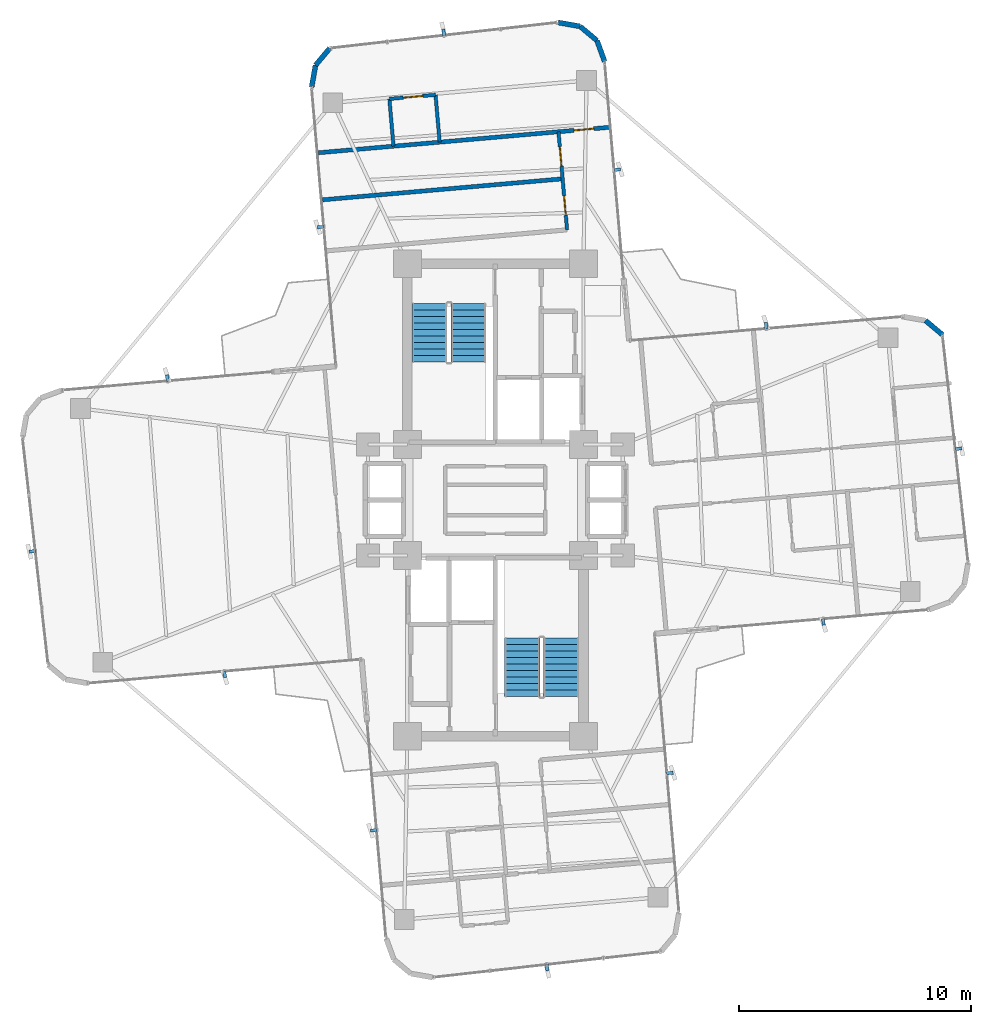
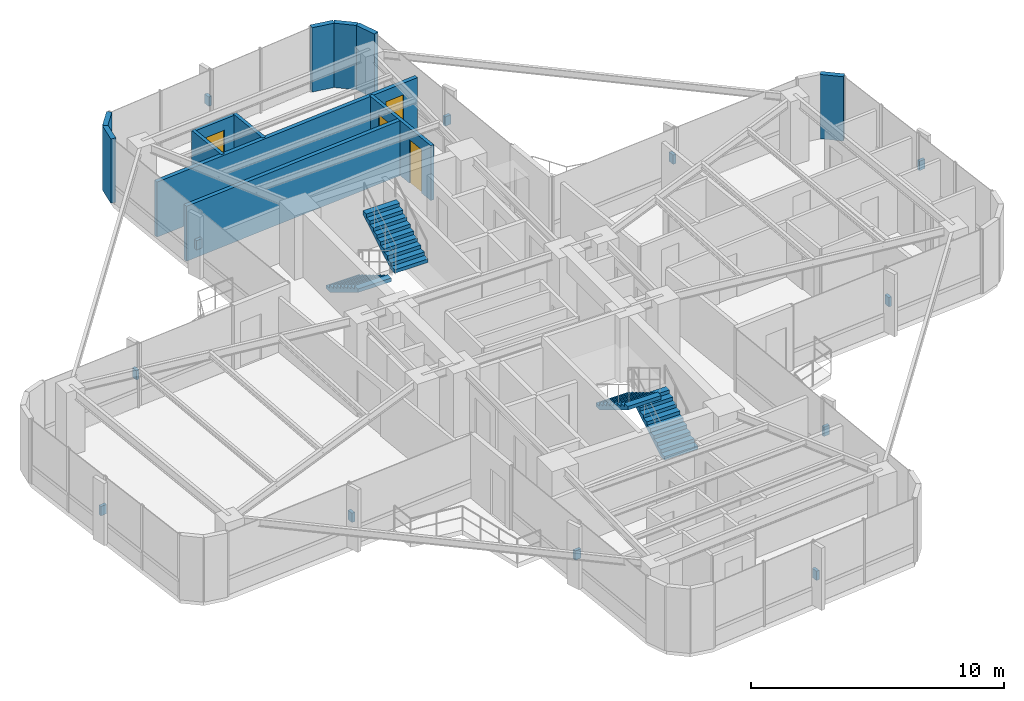
# One storey, part 23 of 24: 12 discrete accessories, 12 walls, 4 doors, 4 stair flights, 4 openings, 2 elements without a shape of their own.
"""IFC4 building model written with IfcOpenShell, lengths in metres."""

from ifc_helpers import new_model, si_unit, direction, frame, frame_2d, origin, origin_2d, place, context, subcontext, project, spatial, polyline, rectangle, outline, extrude, source, transform, mapped, material, layer, layer_set, type_object, element, fill, aggregate, save


model = new_model("IFC4")

# Units and contexts
model_context = context("Model", 3, precision=1e-05, world=origin(), true_north=direction((0.0, 1.0)))
body_context = subcontext(model_context, "Body", "Model", "MODEL_VIEW")
ifc_project = project(units=[si_unit("LENGTHUNIT", "METRE"), si_unit("AREAUNIT", "SQUARE_METRE"), si_unit("VOLUMEUNIT", "CUBIC_METRE"), si_unit("PLANEANGLEUNIT", "RADIAN"), si_unit("MASSUNIT", "GRAM", prefix="KILO")], contexts=[model_context])

# Site, building, storey
site_placement = place(None, origin())
site = spatial("IfcSite", under=ifc_project, at=site_placement, CompositionType="ELEMENT")
building_placement = place(site_placement, origin())
building = spatial("IfcBuilding", under=site, at=building_placement, Name="Sahyath Konkavel Grand Hotel", CompositionType="ELEMENT")
storey_placement = place(building_placement, frame((0.0, 0.0, 188.60009765625)))
storey = spatial("IfcBuildingStorey", under=building, at=storey_placement, Name="L52", CompositionType="ELEMENT", Elevation=188.60009765625)

# Walls
ifc_material_1 = material(Name="Warm Buff Sandstone Insulated Concrete C40/50", Category="masonry")
ifc_layer_1 = layer(ifc_material_1, 0.219970703125)
ifc_layer_set_1 = layer_set([ifc_layer_1], Name="Warm Buff Sandstone Insulated Concrete C40/50")
wall_type_1 = type_object("IfcWallType", Name="WLL-BALC-THRESH", PredefinedType="STANDARD", material=ifc_layer_set_1)
for number, where, z_axis, x_axis, name in (
    (1, (19.3037109375, 7.134521484375, 0.0), (0.0, 0.0, 1.0), (-0.766001159887, 0.642839189107, 0.0), "L52 Rounded Corner Sandstone Pier 5"),
    (2, (4.7177734375, 18.93310546875, 0.0), (0.0, 0.0, 1.0), (-0.34188635151, 0.939741306239, 0.0), "L52 Rounded Corner Sandstone Pier 9"),
):
    element("IfcWall", number, at=place(storey_placement, frame(where, z_axis=z_axis, x_axis=x_axis)), inside=storey, type_object=wall_type_1, Name=name, PredefinedType="STANDARD", context=body_context, shape_type="SweptSolid", body=[
        extrude(rectangle(XDim=0.95751953125, YDim=0.219970703125, at=frame_2d((0.478759765625, 0.0))), origin(), (0.0, 0.0, 1.0), 3.10986328125),
    ])
for number, where, z_axis, x_axis, name in (
    (3, (4.390380859375, 19.8330078125, 0.0), (0.0, 0.0, 1.0), (-0.765980978054, 0.642863236823, 0.0), "L52 Rounded Corner Sandstone Pier 10"),
    (4, (3.65673828125, 20.44873046875, 0.0), (0.0, 0.0, 1.0), (-0.984814340885, 0.173610811841, 0.0), "L52 Rounded Corner Sandstone Pier 11"),
):
    element("IfcWall", number, at=place(storey_placement, frame(where, z_axis=z_axis, x_axis=x_axis)), inside=storey, type_object=wall_type_1, Name=name, PredefinedType="STANDARD", context=body_context, shape_type="SweptSolid", body=[
        extrude(rectangle(XDim=0.957763671875, YDim=0.219970703125, at=frame_2d((0.47900390625, 0.0))), origin(), (0.0, 0.0, 1.0), 3.10986328125),
    ])
for number, where, z_axis, x_axis, name in (
    (5, (-7.152099609375, 19.5029296875, 0.0), (0.0, 0.0, 1.0), (-0.642713642115, -0.766106503196, 0.0), "L52 Rounded Corner Sandstone Pier 13"),
    (6, (-7.767578125, 18.769287109375, 0.0), (0.0, 0.0, 1.0), (-0.173654409999, -0.984806654064, 0.0), "L52 Rounded Corner Sandstone Pier 14"),
):
    element("IfcWall", number, at=place(storey_placement, frame(where, z_axis=z_axis, x_axis=x_axis)), inside=storey, type_object=wall_type_1, Name=name, PredefinedType="STANDARD", context=body_context, shape_type="SweptSolid", body=[
        extrude(rectangle(XDim=0.95751953125, YDim=0.219970703125, at=frame_2d((0.478759765625, 0.0))), origin(), (0.0, 0.0, 1.0), 3.10986328125),
    ])
ifc_material_2 = material(Name="Twin-Stud Acoustic Gypsum Plasterboard Partition")
ifc_layer_2 = layer(ifc_material_2, 0.179931640625)
ifc_layer_set_2 = layer_set([ifc_layer_2], Name="Twin-Stud Acoustic Gypsum Plasterboard Partition")
wall_type_2 = type_object("IfcWallType", Name="WLL-DEMISE-180", PredefinedType="PARTITIONING", material=ifc_layer_set_2)
wall_1_placement = place(storey_placement, frame((2.902587890625, 13.86572265625, 0.0), z_axis=(0.0, 0.0, 1.0), x_axis=(-0.996194201607, -0.087161417409, 0.0)))
element("IfcWall", 7, at=wall_1_placement, inside=storey, type_object=wall_type_2, Name="L52 Partition N-NSL6-DEM", PredefinedType="PARTITIONING", context=body_context, shape_type="SweptSolid", body=[
    extrude(rectangle(XDim=10.400146484375, YDim=0.179931640625, at=frame_2d((5.2001953125, 0.0))), origin(), (0.0, 0.0, 1.0), 2.659912109375),
])

# Wall, opening, door
wall_2_placement = place(storey_placement, frame((4.91650390625, 16.089599609375, 0.0), z_axis=(0.0, 0.0, 1.0), x_axis=(-0.996196619285, -0.087133780622, 0.0)))
wall_2 = element("IfcWall", 8, at=wall_2_placement, inside=storey, type_object=wall_type_2, Name="L52 Partition N-NTIP-END", PredefinedType="PARTITIONING", context=body_context, shape_type="SweptSolid", body=[
    extrude(rectangle(XDim=12.60009765625, YDim=0.179931640625, at=frame_2d((6.300048828125, 0.0))), origin(), (0.0, 0.0, 1.0), 2.659912109375),
])
opening_1_placement = place(wall_2_placement, frame((0.675048828125, 0.0, 0.0)))
opening_1 = element("IfcOpeningElement", 9, at=opening_1_placement, cuts=wall_2, Name="Opening D-F06D", PredefinedType="OPENING", context=body_context, shape_type="SweptSolid", body=[
    extrude(rectangle(XDim=0.85009765625, YDim=2.10009765625, at=frame_2d((0.425048828125, 1.050048828125))), frame((0.0, 0.10009765625, 0.0), z_axis=(0.0, -1.0, 0.0), x_axis=(1.0, 0.0, 0.0)), (0.0, 0.0, 1.0), 0.199951171875),
])
ifc_material_3 = material(Name="Fire-Rated Shaft Access Door")
door_type_1 = type_object("IfcDoorType", Name="DR-FD60-850", OperationType="NOTDEFINED", PredefinedType="DOOR", material=ifc_material_3)
shared_shape_1 = source(origin(), body_context, "Body", "SweptSolid", [
    extrude(rectangle(XDim=0.85009765625, YDim=0.050048828125, at=origin_2d()), origin(), (0.0, 0.0, 1.0), 2.10009765625),
])
door_1_placement = place(opening_1_placement, frame((0.425048828125, 0.0, 0.0)))
door_1 = element("IfcDoor", 10, at=door_1_placement, inside=storey, type_object=door_type_1, Name="L52 Door N-NTIP-ED", OperationType="SINGLE_SWING_RIGHT", OverallHeight=2.10009765625, OverallWidth=0.85009765625, PredefinedType="DOOR", context=body_context, shape_type="MappedRepresentation", body=[
    mapped(shared_shape_1, transform((0.0, 0.0, 0.0), scale=1.0)),
])
fill(opening_1, door_1)

# Wall, openings, doors
ifc_material_4 = material(Name="Fire-Rated Gypsum Plasterboard Partition")
ifc_layer_3 = layer(ifc_material_4, 0.14990234375)
ifc_layer_set_3 = layer_set([ifc_layer_3], Name="Fire-Rated Gypsum Plasterboard Partition")
wall_type_3 = type_object("IfcWallType", Name="WLL-PART-150", PredefinedType="PARTITIONING", material=ifc_layer_set_3)
wall_3_placement = place(storey_placement, frame((3.09521484375, 11.6640625, 0.0), z_axis=(0.0, 0.0, 1.0), x_axis=(-0.087142722004, 0.996195837173, 0.0)))
wall_3 = element("IfcWall", 11, at=wall_3_placement, inside=storey, type_object=wall_type_3, Name="L52 Partition N-G6W", PredefinedType="PARTITIONING", context=body_context, shape_type="SweptSolid", body=[
    extrude(rectangle(XDim=4.25, YDim=0.14990234375, at=frame_2d((2.125, 0.0))), origin(), (0.0, 0.0, 1.0), 2.659912109375),
])
opening_2_placement = place(wall_3_placement, frame((0.6298828125, 0.0, 0.0)))
opening_2 = element("IfcOpeningElement", 12, at=opening_2_placement, cuts=wall_3, Name="Opening D-F06D", PredefinedType="OPENING", context=body_context, shape_type="SweptSolid", body=[
    extrude(rectangle(XDim=0.85009765625, YDim=2.10009765625, at=frame_2d((0.425048828125, 1.050048828125))), frame((0.0, 0.0849609375, 0.0), z_axis=(0.0, -1.0, 0.0), x_axis=(1.0, 0.0, 0.0)), (0.0, 0.0, 1.0), 0.169921875),
])
opening_3_placement = place(wall_3_placement, frame((2.7548828125, 0.0, 0.0)))
opening_3 = element("IfcOpeningElement", 13, at=opening_3_placement, cuts=wall_3, Name="Opening D-F06D", PredefinedType="OPENING", context=body_context, shape_type="SweptSolid", body=[
    extrude(rectangle(XDim=0.85009765625, YDim=2.10009765625, at=frame_2d((0.425048828125, 1.050048828125))), frame((0.0, 0.0849609375, 0.0), z_axis=(0.0, -1.0, 0.0), x_axis=(1.0, 0.0, 0.0)), (0.0, 0.0, 1.0), 0.169921875),
])
door_2_placement = place(opening_2_placement, frame((0.425048828125, 0.0, 0.0)))
door_2 = element("IfcDoor", 14, at=door_2_placement, inside=storey, type_object=door_type_1, Name="L52 Door N-NSL6-D", OperationType="SINGLE_SWING_LEFT", OverallHeight=2.10009765625, OverallWidth=0.85009765625, PredefinedType="DOOR", context=body_context, shape_type="MappedRepresentation", body=[
    mapped(shared_shape_1, transform((0.0, 0.0, 0.0), scale=1.0)),
])
fill(opening_2, door_2)
door_3_placement = place(opening_3_placement, frame((0.425048828125, 0.0, 0.0)))
door_3 = element("IfcDoor", 15, at=door_3_placement, inside=storey, type_object=door_type_1, Name="L52 Door N-ND6-D", OperationType="SINGLE_SWING_RIGHT", OverallHeight=2.10009765625, OverallWidth=0.85009765625, PredefinedType="DOOR", context=body_context, shape_type="MappedRepresentation", body=[
    mapped(shared_shape_1, transform((0.0, 0.0, 0.0), scale=1.0)),
])
fill(opening_3, door_3)

# Walls
for number, where, z_axis, x_axis, name in (
    (16, (-4.39794921875, 15.27490234375, 0.0), (0.0, 0.0, 1.0), (-0.087184680235, 0.996192165966, 0.0), "L52 Partition N-NTIP-BN"),
    (17, (-2.405517578125, 15.44921875, 0.0), (0.0, 0.0, 1.0), (-0.087184680235, 0.996192165966, 0.0), "L52 Partition N-NTIP-BS"),
):
    element("IfcWall", number, at=place(storey_placement, frame(where, z_axis=z_axis, x_axis=x_axis)), inside=storey, type_object=wall_type_3, Name=name, PredefinedType="PARTITIONING", context=body_context, shape_type="SweptSolid", body=[
        extrude(rectangle(XDim=2.0498046875, YDim=0.14990234375, at=frame_2d((1.02490234375, 0.0))), origin(), (0.0, 0.0, 1.0), 2.659912109375),
    ])

# Wall, opening, door
wall_4_placement = place(storey_placement, frame((-2.584228515625, 17.4912109375, 0.0), z_axis=(0.0, 0.0, 1.0), x_axis=(-0.99619464492, -0.087156350505, 0.0)))
wall_4 = element("IfcWall", 18, at=wall_4_placement, inside=storey, type_object=wall_type_3, Name="L52 Partition N-NTIP-BE", PredefinedType="PARTITIONING", context=body_context, shape_type="SweptSolid", body=[
    extrude(rectangle(XDim=2.0, YDim=0.14990234375, at=frame_2d((1.0, 0.0))), origin(), (0.0, 0.0, 1.0), 2.6298828125),
])
opening_4_placement = place(wall_4_placement, frame((0.550048828125, 0.0, 0.0)))
opening_4 = element("IfcOpeningElement", 19, at=opening_4_placement, cuts=wall_4, Name="Opening D-BT85", PredefinedType="OPENING", context=body_context, shape_type="SweptSolid", body=[
    extrude(rectangle(XDim=0.85009765625, YDim=2.10009765625, at=frame_2d((0.425048828125, 1.050048828125))), frame((0.0, 0.0849609375, 0.0), z_axis=(0.0, -1.0, 0.0), x_axis=(1.0, 0.0, 0.0)), (0.0, 0.0, 1.0), 0.169921875),
])
ifc_material_5 = material(Name="Moisture-Resistant Teak Bathroom Door")
door_type_2 = type_object("IfcDoorType", Name="DR-BATH-850", OperationType="NOTDEFINED", PredefinedType="DOOR", material=ifc_material_5)
door_4_placement = place(opening_4_placement, frame((0.425048828125, 0.0, 0.0)))
door_4 = element("IfcDoor", 20, at=door_4_placement, inside=storey, type_object=door_type_2, Name="L52 Door N-NTIP-BD", OperationType="SINGLE_SWING_LEFT", OverallHeight=2.10009765625, OverallWidth=0.85009765625, PredefinedType="DOOR", context=body_context, shape_type="MappedRepresentation", body=[
    mapped(shared_shape_1, transform((0.0, 0.0, 0.0), scale=1.0)),
])
fill(opening_4, door_4)

# Stair, stair flights
ifc_material_6 = material(Name="Concrete C40/50", Category="concrete")
stair_type = type_object("IfcStairType", Name="STR-ST16-335", PredefinedType="HALF_TURN_STAIR", material=ifc_material_6)
stair_1_placement = place(storey_placement, origin())
stair_1 = element("IfcStair", 21, at=stair_1_placement, inside=storey, type_object=stair_type, Name="L52 North Core Smokeproof Exit Stair ST-1", PredefinedType="HALF_TURN_STAIR")
stair_flight_type = type_object("IfcStairFlightType", Name="STF-ST16-335", PredefinedType="STRAIGHT", material=ifc_material_6)
stair_flight_1_placement = place(storey_placement, frame((-2.840087890625, 8.47998046875, 0.0), z_axis=(0.0, 0.0, 1.0), x_axis=(0.0, -1.0, 0.0)))
stair_flight_1 = element("IfcStairFlight", 22, at=stair_flight_1_placement, type_object=stair_flight_type, Name="ST-1 flight 1", NumberOfRisers=10, NumberOfTreads=9, PredefinedType="STRAIGHT", RiserHeight=0.1675, TreadLength=0.28, context=body_context, shape_type="SweptSolid", body=[
    extrude(outline(polyline([(0.0, 0.0), (0.0, 0.16748046875), (0.280029296875, 0.16748046875), (0.280029296875, 0.3349609375), (0.56005859375, 0.3349609375), (0.56005859375, 0.50244140625), (0.840087890625, 0.50244140625), (0.840087890625, 0.669921875), (1.1201171875, 0.669921875), (1.1201171875, 0.83740234375), (1.39990234375, 0.83740234375), (1.39990234375, 1.0048828125), (1.679931640625, 1.0048828125), (1.679931640625, 1.172607421875), (1.9599609375, 1.172607421875), (1.9599609375, 1.340087890625), (2.239990234375, 1.340087890625), (2.239990234375, 1.507568359375), (2.52001953125, 1.507568359375), (2.52001953125, 1.675048828125), (2.52001953125, 1.332763671875), (0.2919921875, 0.0), (0.0, 0.0)])), frame((0.0, 0.760009765625, 0.0), z_axis=(0.0, -1.0, 0.0), x_axis=(1.0, 0.0, 0.0)), (0.0, 0.0, 1.0), 1.52001953125),
])
stair_flight_2_placement = place(storey_placement, frame((-1.159912109375, 5.9599609375, 1.6748046875), z_axis=(0.0, 0.0, 1.0), x_axis=(0.0, 1.0, 0.0)))
stair_flight_2 = element("IfcStairFlight", 23, at=stair_flight_2_placement, type_object=stair_flight_type, Name="ST-1 flight 2", NumberOfRisers=10, NumberOfTreads=9, PredefinedType="STRAIGHT", RiserHeight=0.1675, TreadLength=0.28, context=body_context, shape_type="SweptSolid", body=[
    extrude(outline(polyline([(0.0, 0.0), (0.0, 0.16748046875), (0.280029296875, 0.16748046875), (0.280029296875, 0.3349609375), (0.56005859375, 0.3349609375), (0.56005859375, 0.50244140625), (0.840087890625, 0.50244140625), (0.840087890625, 0.669921875), (1.1201171875, 0.669921875), (1.1201171875, 0.83740234375), (1.39990234375, 0.83740234375), (1.39990234375, 1.0048828125), (1.679931640625, 1.0048828125), (1.679931640625, 1.172607421875), (1.9599609375, 1.172607421875), (1.9599609375, 1.340087890625), (2.239990234375, 1.340087890625), (2.239990234375, 1.507568359375), (2.52001953125, 1.507568359375), (2.52001953125, 1.675048828125), (2.52001953125, 1.332763671875), (0.2919921875, 0.0), (0.0, 0.0)])), frame((0.0, 0.760009765625, 0.0), z_axis=(0.0, -1.0, 0.0), x_axis=(1.0, 0.0, 0.0)), (0.0, 0.0, 1.0), 1.52001953125),
])
aggregate(stair_1, [stair_flight_1, stair_flight_2])

stair_2_placement = place(storey_placement, origin())
stair_2 = element("IfcStair", 24, at=stair_2_placement, inside=storey, type_object=stair_type, Name="L52 South Core Smokeproof Exit Stair ST-2", PredefinedType="HALF_TURN_STAIR")
stair_flight_3_placement = place(storey_placement, frame((2.840087890625, -8.47998046875, 0.0), z_axis=(0.0, 0.0, 1.0), x_axis=(0.0, 1.0, 0.0)))
stair_flight_3 = element("IfcStairFlight", 25, at=stair_flight_3_placement, type_object=stair_flight_type, Name="ST-2 flight 1", NumberOfRisers=10, NumberOfTreads=9, PredefinedType="STRAIGHT", RiserHeight=0.1675, TreadLength=0.28, context=body_context, shape_type="SweptSolid", body=[
    extrude(outline(polyline([(0.0, 0.0), (0.0, 0.16748046875), (0.280029296875, 0.16748046875), (0.280029296875, 0.3349609375), (0.56005859375, 0.3349609375), (0.56005859375, 0.50244140625), (0.840087890625, 0.50244140625), (0.840087890625, 0.669921875), (1.1201171875, 0.669921875), (1.1201171875, 0.83740234375), (1.39990234375, 0.83740234375), (1.39990234375, 1.0048828125), (1.679931640625, 1.0048828125), (1.679931640625, 1.172607421875), (1.9599609375, 1.172607421875), (1.9599609375, 1.340087890625), (2.239990234375, 1.340087890625), (2.239990234375, 1.507568359375), (2.52001953125, 1.507568359375), (2.52001953125, 1.675048828125), (2.52001953125, 1.332763671875), (0.2919921875, 0.0), (0.0, 0.0)])), frame((0.0, 0.760009765625, 0.0), z_axis=(0.0, -1.0, 0.0), x_axis=(1.0, 0.0, 0.0)), (0.0, 0.0, 1.0), 1.52001953125),
])
stair_flight_4_placement = place(storey_placement, frame((1.159912109375, -5.9599609375, 1.6748046875), z_axis=(0.0, 0.0, 1.0), x_axis=(0.0, -1.0, 0.0)))
stair_flight_4 = element("IfcStairFlight", 26, at=stair_flight_4_placement, type_object=stair_flight_type, Name="ST-2 flight 2", NumberOfRisers=10, NumberOfTreads=9, PredefinedType="STRAIGHT", RiserHeight=0.1675, TreadLength=0.28, context=body_context, shape_type="SweptSolid", body=[
    extrude(outline(polyline([(0.0, 0.0), (0.0, 0.16748046875), (0.280029296875, 0.16748046875), (0.280029296875, 0.3349609375), (0.56005859375, 0.3349609375), (0.56005859375, 0.50244140625), (0.840087890625, 0.50244140625), (0.840087890625, 0.669921875), (1.1201171875, 0.669921875), (1.1201171875, 0.83740234375), (1.39990234375, 0.83740234375), (1.39990234375, 1.0048828125), (1.679931640625, 1.0048828125), (1.679931640625, 1.172607421875), (1.9599609375, 1.172607421875), (1.9599609375, 1.340087890625), (2.239990234375, 1.340087890625), (2.239990234375, 1.507568359375), (2.52001953125, 1.507568359375), (2.52001953125, 1.675048828125), (2.52001953125, 1.332763671875), (0.2919921875, 0.0), (0.0, 0.0)])), frame((0.0, 0.760009765625, 0.0), z_axis=(0.0, -1.0, 0.0), x_axis=(1.0, 0.0, 0.0)), (0.0, 0.0, 1.0), 1.52001953125),
])
aggregate(stair_2, [stair_flight_3, stair_flight_4])

# Discrete accessories
ifc_material_7 = material(Name="Steel E350", Category="steel")
discrete_accessory_type = type_object("IfcDiscreteAccessoryType", Name="ACC-FIN-BRACKET", PredefinedType="BRACKET", material=ifc_material_7)
shared_shape_2 = source(origin(), body_context, "Body", "SweptSolid", [
    extrude(rectangle(XDim=0.280029296875, YDim=0.139892578125, at=origin_2d()), origin(), (0.0, 0.0, 1.0), 0.449951171875),
])
for number, where, z_axis, x_axis, name in (
    (27, (14.162841796875, -5.265625, 1.330078125), (0.0, 0.0, 1.0), (0.087155742748, -0.996194698092, 0.0), "L52 Fin Support Bracket F0-1"),
    (28, (19.989013671875, 2.21630859375, 1.330078125), (0.0, 0.0, 1.0), (0.993709417943, 0.111989252568, 0.0), "L52 Fin Support Bracket F4-2"),
    (29, (11.6884765625, 7.52734375, 1.330078125), (0.0, 0.0, 1.0), (-0.087155742748, 0.996194698092, 0.0), "L52 Fin Support Bracket F7-1"),
    (30, (5.2568359375, 14.262451171875, 1.330078125), (0.0, 0.0, 1.0), (0.996194698092, 0.087155742748, 0.0), "L52 Fin Support Bracket F8-1"),
    (31, (-2.23388671875, 20.188232421875, 1.330078125), (0.0, 0.0, 1.0), (-0.112006596052, 0.993707463211, 0.0), "L52 Fin Support Bracket F12-2"),
    (32, (-7.5361328125, 11.7880859375, 1.330078125), (0.0, 0.0, 1.0), (-0.996194698092, -0.087155742748, 0.0), "L52 Fin Support Bracket F15-1"),
    (33, (-14.162841796875, 5.265625, 1.330078125), (0.0, 0.0, 1.0), (-0.087155742748, 0.996194698092, 0.0), "L52 Fin Support Bracket F16-1"),
    (34, (-19.989013671875, -2.21630859375, 1.330078125), (0.0, 0.0, 1.0), (-0.993709417943, -0.111989252568, 0.0), "L52 Fin Support Bracket F20-2"),
    (35, (-11.6884765625, -7.52734375, 1.330078125), (0.0, 0.0, 1.0), (0.087155742748, -0.996194698092, 0.0), "L52 Fin Support Bracket F23-1"),
    (36, (-5.2568359375, -14.262451171875, 1.330078125), (0.0, 0.0, 1.0), (-0.996194698092, -0.087155742748, 0.0), "L52 Fin Support Bracket F24-1"),
    (37, (2.23388671875, -20.188232421875, 1.330078125), (0.0, 0.0, 1.0), (0.112006596052, -0.993707463211, 0.0), "L52 Fin Support Bracket F28-2"),
    (38, (7.5361328125, -11.7880859375, 1.330078125), (0.0, 0.0, 1.0), (0.996194698092, 0.087155742748, 0.0), "L52 Fin Support Bracket F31-1"),
):
    element("IfcDiscreteAccessory", number, at=place(storey_placement, frame(where, z_axis=z_axis, x_axis=x_axis)), inside=storey, type_object=discrete_accessory_type, Name=name, PredefinedType="BRACKET", context=body_context, shape_type="MappedRepresentation", body=[
        mapped(shared_shape_2, transform((0.0, 0.0, 0.0), scale=1.0)),
    ])

save(model, "model.ifc")
